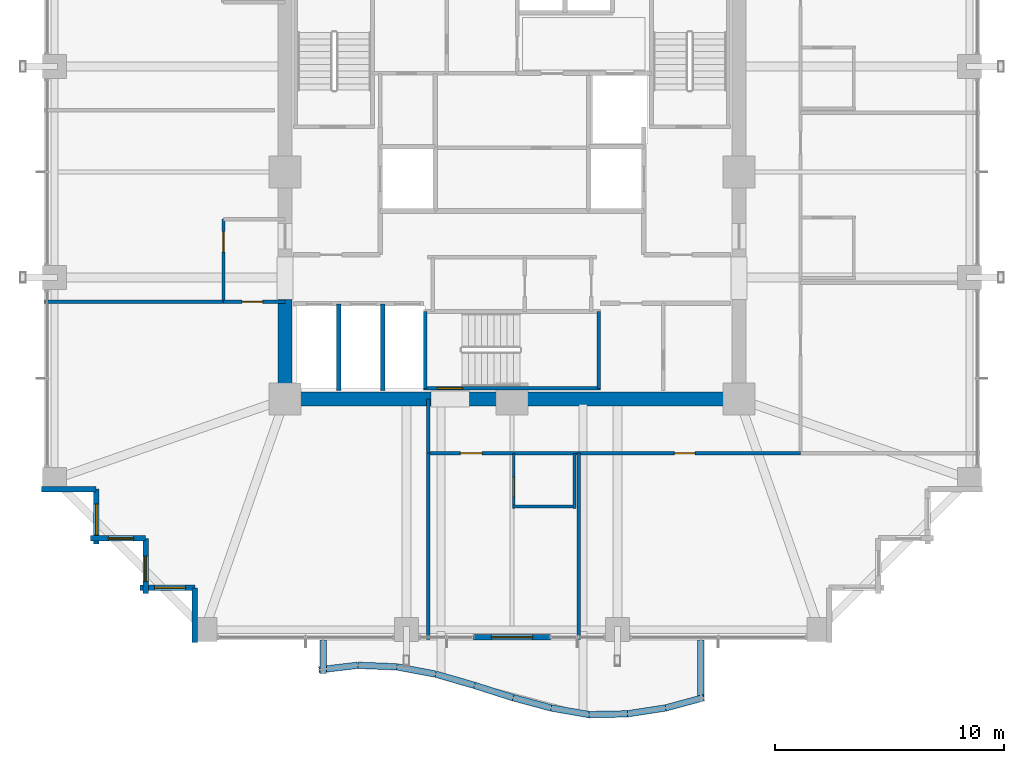
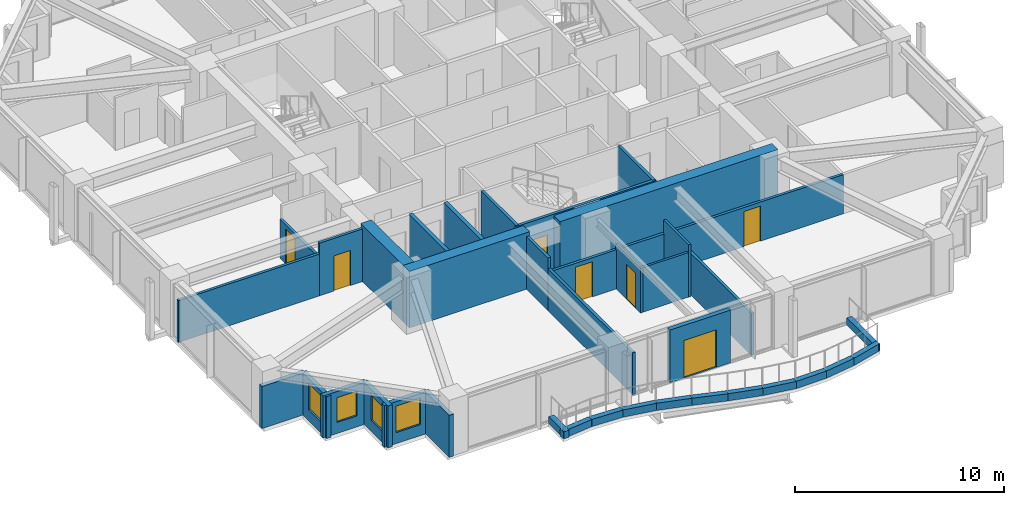
# One storey, part 32 of 38: 37 walls, 7 doors, 4 windows, 11 openings.
"""IFC4 building model written with IfcOpenShell, lengths in metres."""

from ifc_helpers import new_model, si_unit, direction, frame, frame_2d, origin, place, context, subcontext, project, spatial, rectangle, extrude, material, layer, layer_set, type_object, element, fill, save


model = new_model("IFC4")

# Units and contexts
model_context = context("Model", 3, precision=1e-05, world=origin(), true_north=direction((0.0, 1.0)))
body_context = subcontext(model_context, "Body", "Model", "MODEL_VIEW")
ifc_project = project(units=[si_unit("LENGTHUNIT", "METRE"), si_unit("AREAUNIT", "SQUARE_METRE"), si_unit("VOLUMEUNIT", "CUBIC_METRE"), si_unit("PLANEANGLEUNIT", "RADIAN"), si_unit("MASSUNIT", "GRAM", prefix="KILO")], contexts=[model_context])

# Site, building, storey
site_placement = place(None, origin())
site = spatial("IfcSite", under=ifc_project, at=site_placement, CompositionType="ELEMENT")
building_placement = place(site_placement, origin())
building = spatial("IfcBuilding", under=site, at=building_placement, Name="Kolvaren Belvedere", CompositionType="ELEMENT")
storey_placement = place(building_placement, frame((0.0, 0.0, 78.800048828125)))
storey = spatial("IfcBuildingStorey", under=building, at=storey_placement, Name="L22", CompositionType="ELEMENT", Elevation=78.800048828125)

# Walls
ifc_material_1 = material(Name="Concrete C60/75", Category="concrete")
ifc_layer_1 = layer(ifc_material_1, 0.60009765625)
ifc_layer_set_1 = layer_set([ifc_layer_1], Name="Concrete C60/75")
wall_type_1 = type_object("IfcWallType", Name="CW-CORE-600", PredefinedType="SHEAR", material=ifc_layer_set_1)
wall_1_placement = place(storey_placement, frame((10.199951171875, -9.89990234375, 0.0), z_axis=(0.0, 0.0, 1.0), x_axis=(-1.0, 0.0, 0.0)))
element("IfcWall", 1, at=wall_1_placement, inside=storey, type_object=wall_type_1, Name="L22 South Core Shear Wall 1", PredefinedType="SHEAR", context=body_context, shape_type="SweptSolid", body=[
    extrude(rectangle(XDim=12.06005859375, YDim=0.60009765625, at=frame_2d((6.030029296875, 0.0))), origin(), (0.0, 0.0, 1.0), 3.300048828125),
])
wall_2_placement = place(storey_placement, frame((-3.5400390625, -9.89990234375, 0.0), z_axis=(0.0, 0.0, 1.0), x_axis=(-1.0, 0.0, 0.0)))
element("IfcWall", 2, at=wall_2_placement, inside=storey, type_object=wall_type_1, Name="L22 South Core Shear Wall 2", PredefinedType="SHEAR", context=body_context, shape_type="SweptSolid", body=[
    extrude(rectangle(XDim=6.659912109375, YDim=0.60009765625, at=frame_2d((3.330078125, 0.0))), origin(), (0.0, 0.0, 1.0), 3.300048828125),
])
wall_3_placement = place(storey_placement, frame((-9.89990234375, -9.60009765625, 0.0), z_axis=(0.0, 0.0, 1.0), x_axis=(0.0, 1.0, 0.0)))
element("IfcWall", 3, at=wall_3_placement, inside=storey, type_object=wall_type_1, Name="L22 West Core Shear Wall 1", PredefinedType="SHEAR", context=body_context, shape_type="SweptSolid", body=[
    extrude(rectangle(XDim=4.050048828125, YDim=0.60009765625, at=frame_2d((2.02490234375, 0.0))), origin(), (0.0, 0.0, 1.0), 3.300048828125),
])

# Wall, opening, door
ifc_material_2 = material(Name="Concrete C50/60", Category="concrete")
ifc_layer_2 = layer(ifc_material_2, 0.159912109375)
ifc_layer_set_2 = layer_set([ifc_layer_2], Name="Concrete C50/60")
wall_type_2 = type_object("IfcWallType", Name="CW-STAIR-160", PredefinedType="SHEAR", material=ifc_layer_set_2)
wall_4_placement = place(storey_placement, frame((3.860107421875, -9.429931640625, 0.0), z_axis=(0.0, 0.0, 1.0), x_axis=(-1.0, 0.0, 0.0)))
wall_4 = element("IfcWall", 4, at=wall_4_placement, inside=storey, type_object=wall_type_2, Name="L22 Stair ST-3 South Shear Wall", PredefinedType="SHEAR", context=body_context, shape_type="SweptSolid", body=[
    extrude(rectangle(XDim=7.72021484375, YDim=0.159912109375, at=frame_2d((3.860107421875, 0.0))), origin(), (0.0, 0.0, 1.0), 3.300048828125),
])
opening_1_placement = place(wall_4_placement, frame((6.010009765625, 0.0, 0.0)))
opening_1 = element("IfcOpeningElement", 5, at=opening_1_placement, cuts=wall_4, Name="Opening D-FD90", PredefinedType="OPENING", context=body_context, shape_type="SweptSolid", body=[
    extrude(rectangle(XDim=1.10009765625, YDim=2.199951171875, at=frame_2d((0.550048828125, 1.10009765625))), frame((0.0, 0.08984375, 0.0), z_axis=(0.0, -1.0, 0.0), x_axis=(1.0, 0.0, 0.0)), (0.0, 0.0, 1.0), 0.179931640625),
])
ifc_material_3 = material(Name="Painted hollow stainless steel", Category="steel")
door_type_1 = type_object("IfcDoorType", Name="DR-FD90-1100", OperationType="NOTDEFINED", PredefinedType="DOOR", material=ifc_material_3)
door_1_placement = place(opening_1_placement, origin())
door_1 = element("IfcDoor", 6, at=door_1_placement, inside=storey, type_object=door_type_1, Name="L22 Stair ST-3 Exit Door", OperationType="SINGLE_SWING_RIGHT", OverallHeight=2.199951171875, OverallWidth=1.10009765625, PredefinedType="DOOR", context=body_context, shape_type="SweptSolid", body=[
    extrude(rectangle(XDim=1.10009765625, YDim=2.199951171875, at=frame_2d((0.550048828125, 1.10009765625))), frame((0.0, 0.02490234375, 0.0), z_axis=(0.0, -1.0, 0.0), x_axis=(1.0, 0.0, 0.0)), (0.0, 0.0, 1.0), 0.050048828125),
])
fill(opening_1, door_1)

# Walls
for number, where, z_axis, x_axis, name in (
    (7, (-3.780029296875, -9.429931640625, 0.0), (0.0, 0.0, 1.0), (0.0, 1.0, 0.0), "L22 Stair ST-3 West Shear Wall"),
    (8, (3.780029296875, -9.429931640625, 0.0), (0.0, 0.0, 1.0), (0.0, 1.0, 0.0), "L22 Stair ST-3 East Shear Wall"),
):
    element("IfcWall", number, at=place(storey_placement, frame(where, z_axis=z_axis, x_axis=x_axis)), inside=storey, type_object=wall_type_2, Name=name, PredefinedType="SHEAR", context=body_context, shape_type="SweptSolid", body=[
        extrude(rectangle(XDim=3.349853515625, YDim=0.159912109375, at=frame_2d((1.6748046875, 0.0))), origin(), (0.0, 0.0, 1.0), 3.300048828125),
    ])

# Wall, openings, doors
ifc_material_4 = material(Name="Gypsum fire-rated partition assembly", Category="gypsum")
ifc_layer_3 = layer(ifc_material_4, 0.14990234375)
ifc_layer_set_3 = layer_set([ifc_layer_3], Name="Gypsum fire-rated partition assembly")
wall_type_3 = type_object("IfcWallType", Name="WL-CORR-150", PredefinedType="PARTITIONING", material=ifc_layer_set_3)
wall_5_placement = place(storey_placement, frame((-3.64990234375, -12.260009765625, 0.0), z_axis=(0.0, 0.0, 1.0), x_axis=(1.0, 0.0, 0.0)))
wall_5 = element("IfcWall", 9, at=wall_5_placement, inside=storey, type_object=wall_type_3, Name="L22 South-East Corridor Wall", PredefinedType="PARTITIONING", context=body_context, shape_type="SweptSolid", body=[
    extrude(rectangle(XDim=16.22998046875, YDim=0.14990234375, at=frame_2d((8.114990234375, 0.0))), origin(), (0.0, 0.0, 1.0), 2.2919921875),
])
opening_2_placement = place(wall_5_placement, frame((1.39697265625, 0.0, 0.0)))
opening_2 = element("IfcOpeningElement", 10, at=opening_2_placement, cuts=wall_5, Name="Opening D-FD60", PredefinedType="OPENING", context=body_context, shape_type="SweptSolid", body=[
    extrude(rectangle(XDim=0.949951171875, YDim=2.06005859375, at=frame_2d((0.47509765625, 1.030029296875))), frame((0.0, 0.0849609375, 0.0), z_axis=(0.0, -1.0, 0.0), x_axis=(1.0, 0.0, 0.0)), (0.0, 0.0, 1.0), 0.169921875),
])
opening_3_placement = place(wall_5_placement, frame((10.735107421875, 0.0, 0.0)))
opening_3 = element("IfcOpeningElement", 11, at=opening_3_placement, cuts=wall_5, Name="Opening D-INT90", PredefinedType="OPENING", context=body_context, shape_type="SweptSolid", body=[
    extrude(rectangle(XDim=0.89990234375, YDim=2.06005859375, at=frame_2d((0.449951171875, 1.030029296875))), frame((0.0, 0.0849609375, 0.0), z_axis=(0.0, -1.0, 0.0), x_axis=(1.0, 0.0, 0.0)), (0.0, 0.0, 1.0), 0.169921875),
])
ifc_material_5 = material(Name="Acoustic white-oak fire door leaf", Category="timber")
door_type_2 = type_object("IfcDoorType", Name="DR-FD60-950", OperationType="NOTDEFINED", PredefinedType="DOOR", material=ifc_material_5)
door_2_placement = place(opening_2_placement, origin())
door_2 = element("IfcDoor", 12, at=door_2_placement, inside=storey, type_object=door_type_2, Name="L22 King Guest Room 2210 Entry Door", OperationType="SINGLE_SWING_LEFT", OverallHeight=2.06005859375, OverallWidth=0.949951171875, PredefinedType="DOOR", context=body_context, shape_type="SweptSolid", body=[
    extrude(rectangle(XDim=0.949951171875, YDim=2.06005859375, at=frame_2d((0.47509765625, 1.030029296875))), frame((0.0, 0.02490234375, 0.0), z_axis=(0.0, -1.0, 0.0), x_axis=(1.0, 0.0, 0.0)), (0.0, 0.0, 1.0), 0.050048828125),
])
fill(opening_2, door_2)
ifc_material_6 = material(Name="Stained Pacific white oak", Category="timber")
door_type_3 = type_object("IfcDoorType", Name="DR-INT-900", OperationType="NOTDEFINED", PredefinedType="DOOR", material=ifc_material_6)
door_3_placement = place(opening_3_placement, origin())
door_3 = element("IfcDoor", 13, at=door_3_placement, inside=storey, type_object=door_type_3, Name="L22 Lounge 2211 Door", OperationType="SINGLE_SWING_RIGHT", OverallHeight=2.06005859375, OverallWidth=0.89990234375, PredefinedType="DOOR", context=body_context, shape_type="SweptSolid", body=[
    extrude(rectangle(XDim=0.89990234375, YDim=2.06005859375, at=frame_2d((0.449951171875, 1.030029296875))), frame((0.0, 0.02490234375, 0.0), z_axis=(0.0, -1.0, 0.0), x_axis=(1.0, 0.0, 0.0)), (0.0, 0.0, 1.0), 0.050048828125),
])
fill(opening_3, door_3)

# Wall
wall_6_placement = place(storey_placement, frame((-3.64990234375, -12.260009765625, 0.0), z_axis=(0.0, 0.0, 1.0), x_axis=(0.0, 1.0, 0.0)))
element("IfcWall", 14, at=wall_6_placement, inside=storey, type_object=wall_type_3, Name="L22 South Spur West Closure Wall", PredefinedType="PARTITIONING", context=body_context, shape_type="SweptSolid", body=[
    extrude(rectangle(XDim=2.360107421875, YDim=0.14990234375, at=frame_2d((1.18017578125, 0.0))), origin(), (0.0, 0.0, 1.0), 3.079833984375),
])

# Wall, opening, door
wall_7_placement = place(storey_placement, frame((-12.580078125, -5.64990234375, 0.0), z_axis=(0.0, 0.0, 1.0), x_axis=(0.0, 1.0, 0.0)))
wall_7 = element("IfcWall", 15, at=wall_7_placement, inside=storey, type_object=wall_type_3, Name="L22 West FSAE Pocket Wall", PredefinedType="PARTITIONING", context=body_context, shape_type="SweptSolid", body=[
    extrude(rectangle(XDim=3.599853515625, YDim=0.14990234375, at=frame_2d((1.7998046875, 0.0))), origin(), (0.0, 0.0, 1.0), 2.2919921875),
])
opening_4_placement = place(wall_7_placement, frame((2.15625, 0.0, 0.0)))
opening_4 = element("IfcOpeningElement", 16, at=opening_4_placement, cuts=wall_7, Name="Opening D-INT90", PredefinedType="OPENING", context=body_context, shape_type="SweptSolid", body=[
    extrude(rectangle(XDim=0.89990234375, YDim=2.06005859375, at=frame_2d((0.449951171875, 1.030029296875))), frame((0.0, 0.0849609375, 0.0), z_axis=(0.0, -1.0, 0.0), x_axis=(1.0, 0.0, 0.0)), (0.0, 0.0, 1.0), 0.169921875),
])
door_4_placement = place(opening_4_placement, origin())
door_4 = element("IfcDoor", 17, at=door_4_placement, inside=storey, type_object=door_type_3, Name="L22 Lounge 2208 Door", OperationType="SINGLE_SWING_RIGHT", OverallHeight=2.06005859375, OverallWidth=0.89990234375, PredefinedType="DOOR", context=body_context, shape_type="SweptSolid", body=[
    extrude(rectangle(XDim=0.89990234375, YDim=2.06005859375, at=frame_2d((0.449951171875, 1.030029296875))), frame((0.0, 0.02490234375, 0.0), z_axis=(0.0, -1.0, 0.0), x_axis=(1.0, 0.0, 0.0)), (0.0, 0.0, 1.0), 0.050048828125),
])
fill(opening_4, door_4)

wall_8_placement = place(storey_placement, frame((-12.580078125, -5.64990234375, 0.0), z_axis=(0.0, 0.0, 1.0), x_axis=(1.0, 0.0, 0.0)))
wall_8 = element("IfcWall", 18, at=wall_8_placement, inside=storey, type_object=wall_type_3, Name="L22 West Pocket South Closure Wall", PredefinedType="PARTITIONING", context=body_context, shape_type="SweptSolid", body=[
    extrude(rectangle(XDim=2.68017578125, YDim=0.14990234375, at=frame_2d((1.340087890625, 0.0))), origin(), (0.0, 0.0, 1.0), 3.079833984375),
])
opening_5_placement = place(wall_8_placement, frame((0.80615234375, 0.0, 0.0)))
opening_5 = element("IfcOpeningElement", 19, at=opening_5_placement, cuts=wall_8, Name="Opening D-INT90", PredefinedType="OPENING", context=body_context, shape_type="SweptSolid", body=[
    extrude(rectangle(XDim=0.89990234375, YDim=2.06005859375, at=frame_2d((0.449951171875, 1.030029296875))), frame((0.0, 0.0849609375, 0.0), z_axis=(0.0, -1.0, 0.0), x_axis=(1.0, 0.0, 0.0)), (0.0, 0.0, 1.0), 0.169921875),
])
door_5_placement = place(opening_5_placement, origin())
door_5 = element("IfcDoor", 20, at=door_5_placement, inside=storey, type_object=door_type_3, Name="L22 Lounge 2209 Door", OperationType="SINGLE_SWING_LEFT", OverallHeight=2.06005859375, OverallWidth=0.89990234375, PredefinedType="DOOR", context=body_context, shape_type="SweptSolid", body=[
    extrude(rectangle(XDim=0.89990234375, YDim=2.06005859375, at=frame_2d((0.449951171875, 1.030029296875))), frame((0.0, 0.02490234375, 0.0), z_axis=(0.0, -1.0, 0.0), x_axis=(1.0, 0.0, 0.0)), (0.0, 0.0, 1.0), 0.050048828125),
])
fill(opening_5, door_5)

ifc_material_7 = material(Name="Insulated pale-metal facade wall assembly", Category="aluminium")
ifc_layer_4 = layer(ifc_material_7, 0.239990234375)
ifc_layer_set_4 = layer_set([ifc_layer_4], Name="Insulated pale-metal facade wall assembly")
wall_type_4 = type_object("IfcWallType", Name="WL-EXT-240", PredefinedType="STANDARD", material=ifc_layer_set_4)
wall_9_placement = place(storey_placement, frame((1.679931640625, -20.280029296875, 0.0), z_axis=(0.0, 0.0, 1.0), x_axis=(-1.0, 0.0, 0.0)))
wall_9 = element("IfcWall", 21, at=wall_9_placement, inside=storey, type_object=wall_type_4, Name="L22 South Terrace Portal Wall", PredefinedType="STANDARD", context=body_context, shape_type="SweptSolid", body=[
    extrude(rectangle(XDim=3.35986328125, YDim=0.239990234375, at=frame_2d((1.679931640625, 0.0))), origin(), (0.0, 0.0, 1.0), 3.079833984375),
])
opening_6_placement = place(wall_9_placement, frame((0.780029296875, 0.0, 0.0)))
opening_6 = element("IfcOpeningElement", 22, at=opening_6_placement, cuts=wall_9, Name="Opening DB-1800", PredefinedType="OPENING", context=body_context, shape_type="SweptSolid", body=[
    extrude(rectangle(XDim=1.800048828125, YDim=2.199951171875, at=frame_2d((0.89990234375, 1.10009765625))), frame((0.0, 0.1298828125, 0.0), z_axis=(0.0, -1.0, 0.0), x_axis=(1.0, 0.0, 0.0)), (0.0, 0.0, 1.0), 0.260009765625),
])
ifc_material_8 = material(Name="Thermally broken pale-metal aluminium & low-iron glass", Category="aluminium")
door_type_4 = type_object("IfcDoorType", Name="DR-BAL-1800", OperationType="DOUBLE_DOOR_SLIDING", PredefinedType="DOOR", material=ifc_material_8)
door_6_placement = place(opening_6_placement, origin())
door_6 = element("IfcDoor", 23, at=door_6_placement, inside=storey, type_object=door_type_4, Name="L22 South Planted Terrace Sliding Door", OperationType="DOUBLE_DOOR_SLIDING", OverallHeight=2.199951171875, OverallWidth=1.800048828125, PredefinedType="DOOR", context=body_context, shape_type="SweptSolid", body=[
    extrude(rectangle(XDim=1.800048828125, YDim=2.199951171875, at=frame_2d((0.89990234375, 1.10009765625))), frame((0.0, 0.02490234375, 0.0), z_axis=(0.0, -1.0, 0.0), x_axis=(1.0, 0.0, 0.0)), (0.0, 0.0, 1.0), 0.050048828125),
])
fill(opening_6, door_6)

# Wall
wall_10_placement = place(storey_placement, frame((-18.1298828125, -13.830078125, 0.0), z_axis=(0.0, 0.0, 1.0), x_axis=(-1.0, 0.0, 0.0)))
element("IfcWall", 24, at=wall_10_placement, inside=storey, type_object=wall_type_4, Name="L22 Serrated Corner Facade Wall 23", PredefinedType="STANDARD", context=body_context, shape_type="SweptSolid", body=[
    extrude(rectangle(XDim=2.39013671875, YDim=0.239990234375, at=frame_2d((1.195068359375, 0.0))), origin(), (0.0, 0.0, 1.0), 2.458984375),
])

# Wall, opening, window
wall_11_placement = place(storey_placement, frame((-18.1298828125, -16.219970703125, 0.0), z_axis=(0.0, 0.0, 1.0), x_axis=(0.0, 1.0, 0.0)))
wall_11 = element("IfcWall", 25, at=wall_11_placement, inside=storey, type_object=wall_type_4, Name="L22 Serrated Corner Facade Wall 24", PredefinedType="STANDARD", context=body_context, shape_type="SweptSolid", body=[
    extrude(rectangle(XDim=2.389892578125, YDim=0.239990234375, at=frame_2d((1.19482421875, 0.0))), origin(), (0.0, 0.0, 1.0), 2.458984375),
])
opening_7_placement = place(wall_11_placement, frame((0.39990234375, 0.0, 0.64990234375)))
opening_7 = element("IfcOpeningElement", 26, at=opening_7_placement, cuts=wall_11, Name="Opening W-1350", PredefinedType="OPENING", context=body_context, shape_type="SweptSolid", body=[
    extrude(rectangle(XDim=1.35009765625, YDim=1.550048828125, at=frame_2d((0.675048828125, 0.77490234375))), frame((0.0, 0.1298828125, 0.0), z_axis=(0.0, -1.0, 0.0), x_axis=(1.0, 0.0, 0.0)), (0.0, 0.0, 1.0), 0.260009765625),
])
ifc_material_9 = material(Name="Low-iron triple insulated glass", Category="glass")
window_type_1 = type_object("IfcWindowType", Name="WN-CORN-1350", PartitioningType="SINGLE_PANEL", PredefinedType="WINDOW", material=ifc_material_9)
window_1_placement = place(opening_7_placement, origin())
window_1 = element("IfcWindow", 27, at=window_1_placement, inside=storey, type_object=window_type_1, Name="L22 Serrated Corner Vision Window 24", OverallHeight=1.550048828125, OverallWidth=1.35009765625, PartitioningType="SINGLE_PANEL", PredefinedType="WINDOW", context=body_context, shape_type="SweptSolid", body=[
    extrude(rectangle(XDim=1.35009765625, YDim=1.550048828125, at=frame_2d((0.675048828125, 0.77490234375))), frame((0.0, 0.030029296875, 0.0), z_axis=(0.0, -1.0, 0.0), x_axis=(1.0, 0.0, 0.0)), (0.0, 0.0, 1.0), 0.06005859375),
])
fill(opening_7, window_1)

wall_12_placement = place(storey_placement, frame((-15.97998046875, -15.97998046875, 0.0), z_axis=(0.0, 0.0, 1.0), x_axis=(-1.0, 0.0, 0.0)))
wall_12 = element("IfcWall", 28, at=wall_12_placement, inside=storey, type_object=wall_type_4, Name="L22 Serrated Corner Facade Wall 25", PredefinedType="STANDARD", context=body_context, shape_type="SweptSolid", body=[
    extrude(rectangle(XDim=2.39013671875, YDim=0.239990234375, at=frame_2d((1.195068359375, 0.0))), origin(), (0.0, 0.0, 1.0), 2.458984375),
])
opening_8_placement = place(wall_12_placement, frame((0.52490234375, 0.0, 0.64990234375)))
opening_8 = element("IfcOpeningElement", 29, at=opening_8_placement, cuts=wall_12, Name="Opening W-1100", PredefinedType="OPENING", context=body_context, shape_type="SweptSolid", body=[
    extrude(rectangle(XDim=1.10009765625, YDim=1.449951171875, at=frame_2d((0.550048828125, 0.72509765625))), frame((0.0, 0.1298828125, 0.0), z_axis=(0.0, -1.0, 0.0), x_axis=(1.0, 0.0, 0.0)), (0.0, 0.0, 1.0), 0.260009765625),
])
ifc_material_10 = material(Name="Low-iron triple insulated glass", Category="glass")
window_type_2 = type_object("IfcWindowType", Name="WN-CORN-1100", PartitioningType="SINGLE_PANEL", PredefinedType="WINDOW", material=ifc_material_10)
window_2_placement = place(opening_8_placement, origin())
window_2 = element("IfcWindow", 30, at=window_2_placement, inside=storey, type_object=window_type_2, Name="L22 Serrated Corner Vision Window 25", OverallHeight=1.449951171875, OverallWidth=1.10009765625, PartitioningType="SINGLE_PANEL", PredefinedType="WINDOW", context=body_context, shape_type="SweptSolid", body=[
    extrude(rectangle(XDim=1.10009765625, YDim=1.449951171875, at=frame_2d((0.550048828125, 0.72509765625))), frame((0.0, 0.030029296875, 0.0), z_axis=(0.0, -1.0, 0.0), x_axis=(1.0, 0.0, 0.0)), (0.0, 0.0, 1.0), 0.06005859375),
])
fill(opening_8, window_2)

wall_13_placement = place(storey_placement, frame((-15.97998046875, -18.3701171875, 0.0), z_axis=(0.0, 0.0, 1.0), x_axis=(0.0, 1.0, 0.0)))
wall_13 = element("IfcWall", 31, at=wall_13_placement, inside=storey, type_object=wall_type_4, Name="L22 Serrated Corner Facade Wall 26", PredefinedType="STANDARD", context=body_context, shape_type="SweptSolid", body=[
    extrude(rectangle(XDim=2.39013671875, YDim=0.239990234375, at=frame_2d((1.195068359375, 0.0))), origin(), (0.0, 0.0, 1.0), 2.458984375),
])
opening_9_placement = place(wall_13_placement, frame((0.52490234375, 0.0, 0.64990234375)))
opening_9 = element("IfcOpeningElement", 32, at=opening_9_placement, cuts=wall_13, Name="Opening W-1100", PredefinedType="OPENING", context=body_context, shape_type="SweptSolid", body=[
    extrude(rectangle(XDim=1.10009765625, YDim=1.449951171875, at=frame_2d((0.550048828125, 0.72509765625))), frame((0.0, 0.1298828125, 0.0), z_axis=(0.0, -1.0, 0.0), x_axis=(1.0, 0.0, 0.0)), (0.0, 0.0, 1.0), 0.260009765625),
])
window_3_placement = place(opening_9_placement, origin())
window_3 = element("IfcWindow", 33, at=window_3_placement, inside=storey, type_object=window_type_2, Name="L22 Serrated Corner Vision Window 26", OverallHeight=1.449951171875, OverallWidth=1.10009765625, PartitioningType="SINGLE_PANEL", PredefinedType="WINDOW", context=body_context, shape_type="SweptSolid", body=[
    extrude(rectangle(XDim=1.10009765625, YDim=1.449951171875, at=frame_2d((0.550048828125, 0.72509765625))), frame((0.0, 0.030029296875, 0.0), z_axis=(0.0, -1.0, 0.0), x_axis=(1.0, 0.0, 0.0)), (0.0, 0.0, 1.0), 0.06005859375),
])
fill(opening_9, window_3)

wall_14_placement = place(storey_placement, frame((-13.830078125, -18.1298828125, 0.0), z_axis=(0.0, 0.0, 1.0), x_axis=(-1.0, 0.0, 0.0)))
wall_14 = element("IfcWall", 34, at=wall_14_placement, inside=storey, type_object=wall_type_4, Name="L22 Serrated Corner Facade Wall 27", PredefinedType="STANDARD", context=body_context, shape_type="SweptSolid", body=[
    extrude(rectangle(XDim=2.389892578125, YDim=0.239990234375, at=frame_2d((1.19482421875, 0.0))), origin(), (0.0, 0.0, 1.0), 2.458984375),
])
opening_10_placement = place(wall_14_placement, frame((0.39990234375, 0.0, 0.64990234375)))
opening_10 = element("IfcOpeningElement", 35, at=opening_10_placement, cuts=wall_14, Name="Opening W-1350", PredefinedType="OPENING", context=body_context, shape_type="SweptSolid", body=[
    extrude(rectangle(XDim=1.35009765625, YDim=1.550048828125, at=frame_2d((0.675048828125, 0.77490234375))), frame((0.0, 0.1298828125, 0.0), z_axis=(0.0, -1.0, 0.0), x_axis=(1.0, 0.0, 0.0)), (0.0, 0.0, 1.0), 0.260009765625),
])
window_4_placement = place(opening_10_placement, origin())
window_4 = element("IfcWindow", 36, at=window_4_placement, inside=storey, type_object=window_type_1, Name="L22 Serrated Corner Vision Window 27", OverallHeight=1.550048828125, OverallWidth=1.35009765625, PartitioningType="SINGLE_PANEL", PredefinedType="WINDOW", context=body_context, shape_type="SweptSolid", body=[
    extrude(rectangle(XDim=1.35009765625, YDim=1.550048828125, at=frame_2d((0.675048828125, 0.77490234375))), frame((0.0, 0.030029296875, 0.0), z_axis=(0.0, -1.0, 0.0), x_axis=(1.0, 0.0, 0.0)), (0.0, 0.0, 1.0), 0.06005859375),
])
fill(opening_10, window_4)

# Walls
wall_15_placement = place(storey_placement, frame((-13.830078125, -20.52001953125, 0.0), z_axis=(0.0, 0.0, 1.0), x_axis=(0.0, 1.0, 0.0)))
element("IfcWall", 37, at=wall_15_placement, inside=storey, type_object=wall_type_4, Name="L22 Serrated Corner Facade Wall 28", PredefinedType="STANDARD", context=body_context, shape_type="SweptSolid", body=[
    extrude(rectangle(XDim=2.39013671875, YDim=0.239990234375, at=frame_2d((1.195068359375, 0.0))), origin(), (0.0, 0.0, 1.0), 2.458984375),
])
ifc_material_11 = material(Name="Gypsum acoustic partition assembly", Category="gypsum")
ifc_layer_5 = layer(ifc_material_11, 0.14990234375)
ifc_layer_set_5 = layer_set([ifc_layer_5], Name="Gypsum acoustic partition assembly")
wall_type_5 = type_object("IfcWallType", Name="WL-PART-150", PredefinedType="PARTITIONING", material=ifc_layer_set_5)
wall_16_placement = place(storey_placement, frame((-20.3798828125, -5.64990234375, 0.0), z_axis=(0.0, 0.0, 1.0), x_axis=(1.0, 0.0, 0.0)))
element("IfcWall", 38, at=wall_16_placement, inside=storey, type_object=wall_type_5, Name="L22 West Mid Suite South Wall", PredefinedType="PARTITIONING", context=body_context, shape_type="SweptSolid", body=[
    extrude(rectangle(XDim=7.7998046875, YDim=0.14990234375, at=frame_2d((3.89990234375, 0.0))), origin(), (0.0, 0.0, 1.0), 2.448974609375),
])
for number, where, z_axis, x_axis, name in (
    (39, (-3.64990234375, -20.3798828125, 0.0), (0.0, 0.0, 1.0), (0.0, 1.0, 0.0), "L22 South Mid-West Wall"),
    (40, (2.919921875, -20.3798828125, 0.0), (0.0, 0.0, 1.0), (0.0, 1.0, 0.0), "L22 South-East Suite Divider 1"),
):
    element("IfcWall", number, at=place(storey_placement, frame(where, z_axis=z_axis, x_axis=x_axis)), inside=storey, type_object=wall_type_5, Name=name, PredefinedType="PARTITIONING", context=body_context, shape_type="SweptSolid", body=[
        extrude(rectangle(XDim=8.119873046875, YDim=0.14990234375, at=frame_2d((4.06005859375, 0.0))), origin(), (0.0, 0.0, 1.0), 2.448974609375),
    ])
ifc_material_12 = material(Name="Precast concrete C40/50", Category="concrete")
ifc_layer_6 = layer(ifc_material_12, 0.300048828125)
ifc_layer_set_6 = layer_set([ifc_layer_6], Name="Precast concrete C40/50")
wall_type_6 = type_object("IfcWallType", Name="WL-PLANTER-300", PredefinedType="PARAPET", material=ifc_layer_set_6)
wall_17_placement = place(storey_placement, frame((-8.418701171875, -21.70751953125, -0.0400390625), z_axis=(0.0, 0.0, 1.0), x_axis=(0.993125952783, 0.11705059551, 0.0)))
element("IfcWall", 41, at=wall_17_placement, inside=storey, type_object=wall_type_6, Name="L22 Precast Structural Planter Wall BAL-S-1", PredefinedType="PARAPET", context=body_context, shape_type="SweptSolid", body=[
    extrude(rectangle(XDim=1.691650390625, YDim=0.280029296875, at=frame_2d((0.845703125, 0.0))), origin(), (0.0, 0.0, 1.0), 0.419921875),
])
wall_18_placement = place(storey_placement, frame((-6.713623046875, -21.508544921875, -0.0400390625), z_axis=(0.0, 0.0, 1.0), x_axis=(0.999196545286, -0.040078222133, 0.0)))
element("IfcWall", 42, at=wall_18_placement, inside=storey, type_object=wall_type_6, Name="L22 Precast Structural Planter Wall BAL-S-2", PredefinedType="PARAPET", context=body_context, shape_type="SweptSolid", body=[
    extrude(rectangle(XDim=1.681396484375, YDim=0.280029296875, at=frame_2d((0.8408203125, 0.0))), origin(), (0.0, 0.0, 1.0), 0.419921875),
])
wall_19_placement = place(storey_placement, frame((-5.010498046875, -21.57861328125, -0.0400390625), z_axis=(0.0, 0.0, 1.0), x_axis=(0.982804219087, -0.184650661912, 0.0)))
element("IfcWall", 43, at=wall_19_placement, inside=storey, type_object=wall_type_6, Name="L22 Precast Structural Planter Wall BAL-S-3", PredefinedType="PARAPET", context=body_context, shape_type="SweptSolid", body=[
    extrude(rectangle(XDim=1.70947265625, YDim=0.280029296875, at=frame_2d((0.854736328125, 0.0))), origin(), (0.0, 0.0, 1.0), 0.419921875),
])
wall_20_placement = place(storey_placement, frame((-3.3154296875, -21.89794921875, -0.0400390625), z_axis=(0.0, 0.0, 1.0), x_axis=(0.960633903819, -0.277817391164, 0.0)))
element("IfcWall", 44, at=wall_20_placement, inside=storey, type_object=wall_type_6, Name="L22 Precast Structural Planter Wall BAL-S-4", PredefinedType="PARAPET", context=body_context, shape_type="SweptSolid", body=[
    extrude(rectangle(XDim=1.748779296875, YDim=0.280029296875, at=frame_2d((0.87451171875, 0.0))), origin(), (0.0, 0.0, 1.0), 0.419921875),
])
wall_21_placement = place(storey_placement, frame((-1.63134765625, -22.38525390625, -0.0400390625), z_axis=(0.0, 0.0, 1.0), x_axis=(0.952661770826, -0.304032153573, 0.0)))
element("IfcWall", 45, at=wall_21_placement, inside=storey, type_object=wall_type_6, Name="L22 Precast Structural Planter Wall BAL-S-5", PredefinedType="PARAPET", context=body_context, shape_type="SweptSolid", body=[
    extrude(rectangle(XDim=1.763427734375, YDim=0.280029296875, at=frame_2d((0.8818359375, 0.0))), origin(), (0.0, 0.0, 1.0), 0.419921875),
])
wall_22_placement = place(storey_placement, frame((0.041748046875, -22.919189453125, -0.0400390625), z_axis=(0.0, 0.0, 1.0), x_axis=(0.965424492388, -0.260682852326, 0.0)))
element("IfcWall", 46, at=wall_22_placement, inside=storey, type_object=wall_type_6, Name="L22 Precast Structural Planter Wall BAL-S-6", PredefinedType="PARAPET", context=body_context, shape_type="SweptSolid", body=[
    extrude(rectangle(XDim=1.739990234375, YDim=0.280029296875, at=frame_2d((0.8701171875, 0.0))), origin(), (0.0, 0.0, 1.0), 0.419921875),
])
wall_23_placement = place(storey_placement, frame((1.70751953125, -23.36962890625, -0.0400390625), z_axis=(0.0, 0.0, 1.0), x_axis=(0.985156010777, -0.171661394699, 0.0)))
element("IfcWall", 47, at=wall_23_placement, inside=storey, type_object=wall_type_6, Name="L22 Precast Structural Planter Wall BAL-S-7", PredefinedType="PARAPET", context=body_context, shape_type="SweptSolid", body=[
    extrude(rectangle(XDim=1.705322265625, YDim=0.280029296875, at=frame_2d((0.8525390625, 0.0))), origin(), (0.0, 0.0, 1.0), 0.419921875),
])
wall_24_placement = place(storey_placement, frame((3.356689453125, -23.659912109375, -0.0400390625), z_axis=(0.0, 0.0, 1.0), x_axis=(0.999799013034, 0.020048280122, 0.0)))
element("IfcWall", 48, at=wall_24_placement, inside=storey, type_object=wall_type_6, Name="L22 Precast Structural Planter Wall BAL-S-8", PredefinedType="PARAPET", context=body_context, shape_type="SweptSolid", body=[
    extrude(rectangle(XDim=1.680419921875, YDim=0.280029296875, at=frame_2d((0.84033203125, 0.0))), origin(), (0.0, 0.0, 1.0), 0.419921875),
])
wall_25_placement = place(storey_placement, frame((5.015625, -23.6279296875, -0.0400390625), z_axis=(0.0, 0.0, 1.0), x_axis=(0.988341789514, 0.152251460091, 0.0)))
element("IfcWall", 49, at=wall_25_placement, inside=storey, type_object=wall_type_6, Name="L22 Precast Structural Planter Wall BAL-S-9", PredefinedType="PARAPET", context=body_context, shape_type="SweptSolid", body=[
    extrude(rectangle(XDim=1.69970703125, YDim=0.280029296875, at=frame_2d((0.849853515625, 0.0))), origin(), (0.0, 0.0, 1.0), 0.419921875),
])
wall_26_placement = place(storey_placement, frame((6.67822265625, -23.372802734375, -0.0400390625), z_axis=(0.0, 0.0, 1.0), x_axis=(0.965434024814, 0.260647546949, 0.0)))
element("IfcWall", 50, at=wall_26_placement, inside=storey, type_object=wall_type_6, Name="L22 Precast Structural Planter Wall BAL-S-10", PredefinedType="PARAPET", context=body_context, shape_type="SweptSolid", body=[
    extrude(rectangle(XDim=1.740234375, YDim=0.280029296875, at=frame_2d((0.8701171875, 0.0))), origin(), (0.0, 0.0, 1.0), 0.419921875),
])
wall_27_placement = place(storey_placement, frame((8.239990234375, -23.07373046875, -0.0400390625), z_axis=(0.0, 0.0, 1.0), x_axis=(0.0, 1.0, 0.0)))
element("IfcWall", 51, at=wall_27_placement, inside=storey, type_object=wall_type_6, Name="L22 Precast Structural Planter Wall BAL-S-11", PredefinedType="PARAPET", context=body_context, shape_type="SweptSolid", body=[
    extrude(rectangle(XDim=2.673828125, YDim=0.280029296875, at=frame_2d((1.3369140625, 0.0))), origin(), (0.0, 0.0, 1.0), 0.419921875),
])
wall_28_placement = place(storey_placement, frame((-8.239990234375, -20.39990234375, -0.0400390625), z_axis=(0.0, 0.0, 1.0), x_axis=(0.0, -1.0, 0.0)))
element("IfcWall", 52, at=wall_28_placement, inside=storey, type_object=wall_type_6, Name="L22 Precast Structural Planter Wall BAL-S-22", PredefinedType="PARAPET", context=body_context, shape_type="SweptSolid", body=[
    extrude(rectangle(XDim=1.46630859375, YDim=0.280029296875, at=frame_2d((0.733154296875, 0.0))), origin(), (0.0, 0.0, 1.0), 0.419921875),
])
ifc_material_13 = material(Name="Concrete C50/60", Category="concrete")
ifc_layer_7 = layer(ifc_material_13, 0.199951171875)
ifc_layer_set_7 = layer_set([ifc_layer_7], Name="Concrete C50/60")
wall_type_7 = type_object("IfcWallType", Name="WL-SHAFT-200", PredefinedType="SOLIDWALL", material=ifc_layer_set_7)
for number, where, z_axis, x_axis, name in (
    (53, (-7.56005859375, -9.52001953125, 0.0), (0.0, 0.0, 1.0), (0.0, 1.0, 0.0), "L22 Mid-Rise Hoistway Divider 1"),
    (54, (-5.6298828125, -9.52001953125, 0.0), (0.0, 0.0, 1.0), (0.0, 1.0, 0.0), "L22 Mid-Rise Hoistway Divider 2"),
):
    element("IfcWall", number, at=place(storey_placement, frame(where, z_axis=z_axis, x_axis=x_axis)), inside=storey, type_object=wall_type_7, Name=name, PredefinedType="SOLIDWALL", context=body_context, shape_type="SweptSolid", body=[
        extrude(rectangle(XDim=3.77001953125, YDim=0.199951171875, at=frame_2d((1.885009765625, 0.0))), origin(), (0.0, 0.0, 1.0), 3.079833984375),
    ])

# Wall, opening, door
ifc_material_14 = material(Name="Moisture-resistant gypsum partition", Category="gypsum")
ifc_layer_8 = layer(ifc_material_14, 0.125)
ifc_layer_set_8 = layer_set([ifc_layer_8], Name="Moisture-resistant gypsum partition")
wall_type_8 = type_object("IfcWallType", Name="WL-WET-125", PredefinedType="PARTITIONING", material=ifc_layer_set_8)
wall_29_placement = place(storey_placement, frame((0.074951171875, -14.6650390625, 0.0), z_axis=(0.0, 0.0, 1.0), x_axis=(0.0, 1.0, 0.0)))
wall_29 = element("IfcWall", 55, at=wall_29_placement, inside=storey, type_object=wall_type_8, Name="L22 Bathroom Partition PW-L22-BTH-10-E", PredefinedType="PARTITIONING", context=body_context, shape_type="SweptSolid", body=[
    extrude(rectangle(XDim=2.39013671875, YDim=0.125, at=frame_2d((1.195068359375, 0.0))), origin(), (0.0, 0.0, 1.0), 2.60498046875),
])
opening_11_placement = place(wall_29_placement, frame((0.5, 0.0, 0.0)))
opening_11 = element("IfcOpeningElement", 56, at=opening_11_placement, cuts=wall_29, Name="Opening D-BTH85", PredefinedType="OPENING", context=body_context, shape_type="SweptSolid", body=[
    extrude(rectangle(XDim=0.85009765625, YDim=2.030029296875, at=frame_2d((0.425048828125, 1.01513671875))), frame((0.0, 0.072509765625, 0.0), z_axis=(0.0, -1.0, 0.0), x_axis=(1.0, 0.0, 0.0)), (0.0, 0.0, 1.0), 0.14501953125),
])
ifc_material_15 = material(Name="Moisture-sealed Pacific white oak", Category="timber")
door_type_5 = type_object("IfcDoorType", Name="DR-BATH-850", OperationType="NOTDEFINED", PredefinedType="DOOR", material=ifc_material_15)
door_7_placement = place(opening_11_placement, origin())
door_7 = element("IfcDoor", 57, at=door_7_placement, inside=storey, type_object=door_type_5, Name="L22 En-Suite Bathroom 2210 Door", OperationType="SINGLE_SWING_RIGHT", OverallHeight=2.030029296875, OverallWidth=0.85009765625, PredefinedType="DOOR", context=body_context, shape_type="SweptSolid", body=[
    extrude(rectangle(XDim=0.85009765625, YDim=2.030029296875, at=frame_2d((0.425048828125, 1.01513671875))), frame((0.0, 0.02490234375, 0.0), z_axis=(0.0, -1.0, 0.0), x_axis=(1.0, 0.0, 0.0)), (0.0, 0.0, 1.0), 0.050048828125),
])
fill(opening_11, door_7)

# Walls
wall_30_placement = place(storey_placement, frame((0.014892578125, -14.5849609375, 0.0), z_axis=(0.0, 0.0, 1.0), x_axis=(1.0, 0.0, 0.0)))
element("IfcWall", 58, at=wall_30_placement, inside=storey, type_object=wall_type_8, Name="L22 Bathroom Partition PW-L22-BTH-10-H", PredefinedType="PARTITIONING", context=body_context, shape_type="SweptSolid", body=[
    extrude(rectangle(XDim=2.77001953125, YDim=0.125, at=frame_2d((1.385009765625, 0.0))), origin(), (0.0, 0.0, 1.0), 2.60498046875),
])
wall_31_placement = place(storey_placement, frame((2.72509765625, -14.6650390625, 0.0), z_axis=(0.0, 0.0, 1.0), x_axis=(0.0, 1.0, 0.0)))
element("IfcWall", 59, at=wall_31_placement, inside=storey, type_object=wall_type_8, Name="L22 Bathroom Partition PW-L22-BTH-10-W", PredefinedType="PARTITIONING", context=body_context, shape_type="SweptSolid", body=[
    extrude(rectangle(XDim=2.39013671875, YDim=0.125, at=frame_2d((1.195068359375, 0.0))), origin(), (0.0, 0.0, 1.0), 3.079833984375),
])

save(model, "model.ifc")
